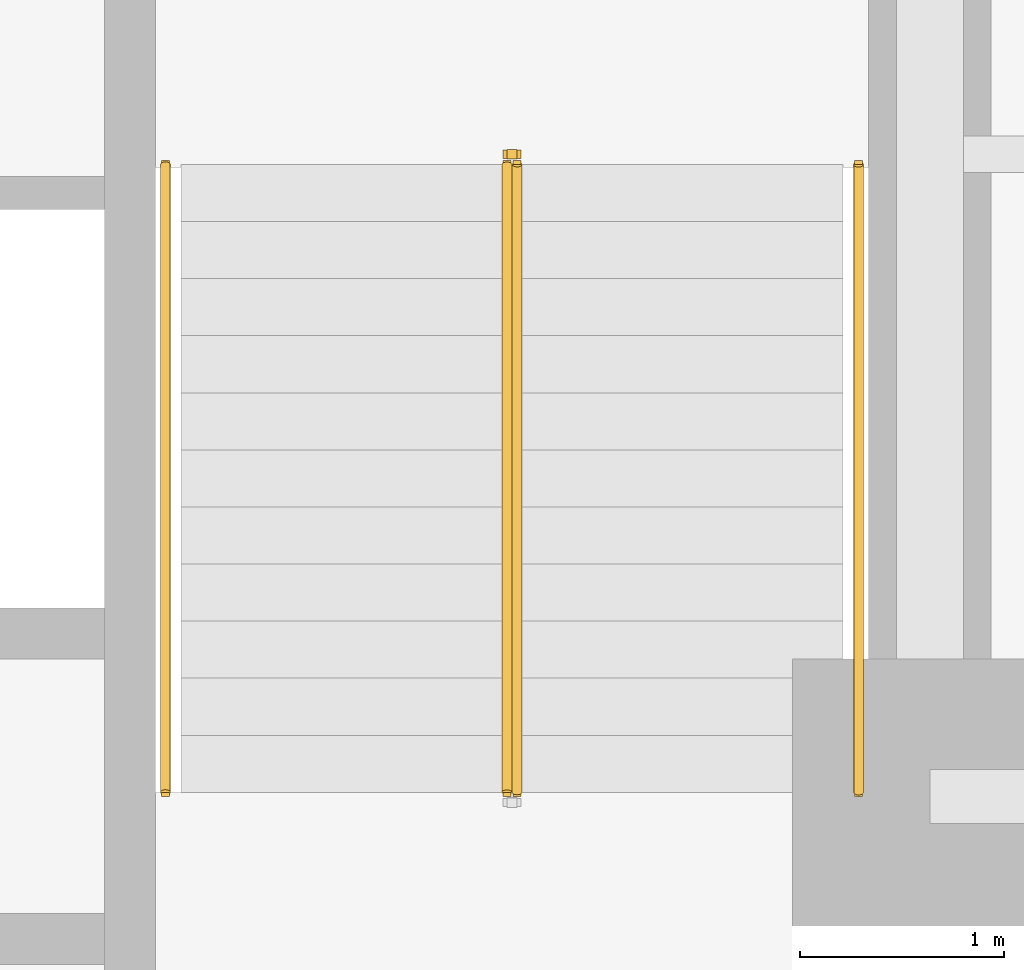
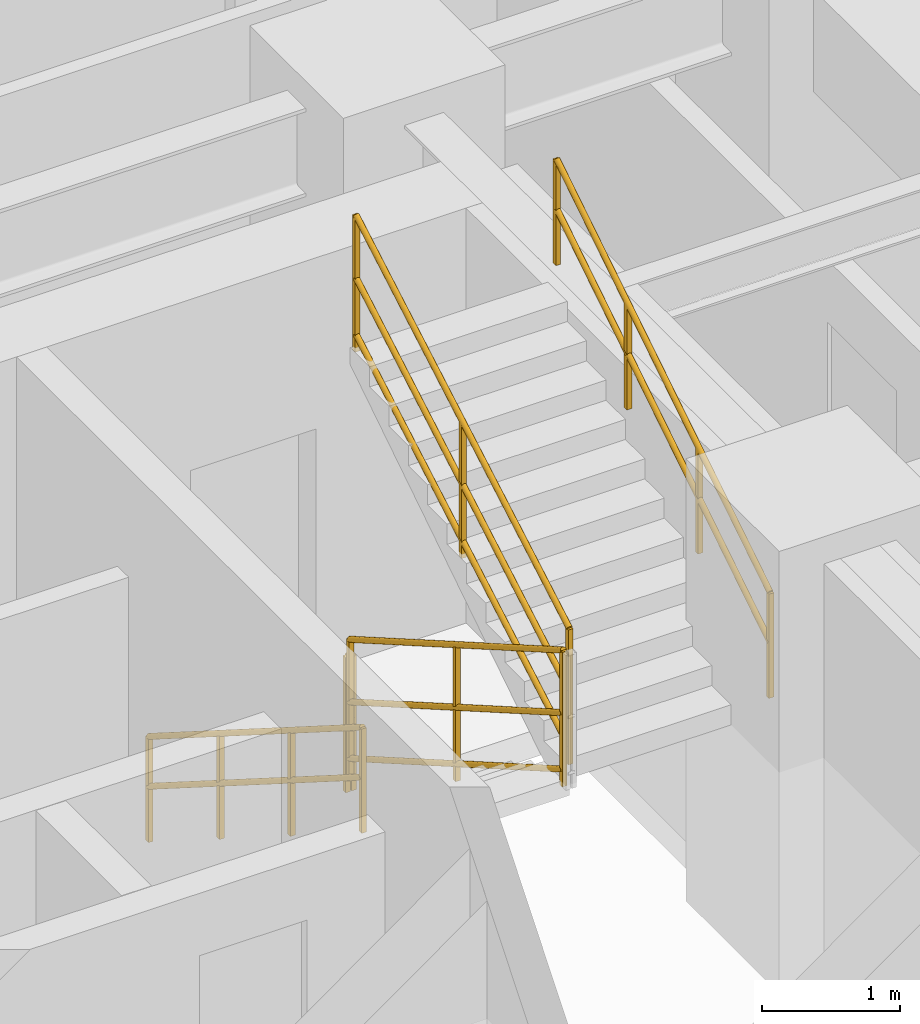
# One storey, part 8 of 9: 5 railings.
"""IFC4 building model written with IfcOpenShell, lengths in metres."""

import ifcopenshell
import ifcopenshell.guid

model = None  # the IFC model being written
_history = None  # IfcOwnerHistory: only IFC2X3 demands one
_inside = {}  # id of a spatial element -> (the spatial element, [elements in it])
_under = {}  # id of a project, library or spatial element -> (it, [spatial elements below it])
_declared = {}  # id of a project -> (the project, [libraries it declares])
_typed = {}  # id of a type object -> (the type object, [elements of that type])
_made_of = {}  # id of a material, layer set ... -> (it, [elements and type objects made of it])


def new_model(schema):
    """Start an empty IFC model of exactly this schema.

    Asked for "IFC4X3", IfcOpenShell would pick the latest addendum, in which some entities
    have other attributes; the version numbers below select the first issue.
    IFC2X3 requires an IfcOwnerHistory on every rooted entity: one is made here for all.
    """
    global model, _history
    if schema == "IFC4X3":
        model = ifcopenshell.file(schema_version=(4, 3, 0, 0))
    else:
        model = ifcopenshell.file(schema=schema)
    _inside.clear()
    _under.clear()
    _declared.clear()
    _typed.clear()
    _made_of.clear()
    _history = None
    if model.schema == "IFC2X3":
        org = make("IfcOrganization", Name="unknown")
        user = make(
            "IfcPersonAndOrganization",
            ThePerson=make("IfcPerson", FamilyName="unknown"),
            TheOrganization=org,
        )
        app = make(
            "IfcApplication",
            ApplicationDeveloper=org,
            Version="unknown",
            ApplicationFullName="unknown",
            ApplicationIdentifier="unknown",
        )
        _history = make(
            "IfcOwnerHistory",
            OwningUser=user,
            OwningApplication=app,
            ChangeAction="ADDED",
            CreationDate=0,
        )
    return model


def make(cls, **values):
    """One entity of the class cls with the attributes given. An attribute that is None is left unset."""
    return model.create_entity(
        cls, **{name: value for name, value in values.items() if value is not None}
    )


def entity(cls, *values):
    """Any entity or typed value of the class cls, its attributes in the order of the schema. None: left unset."""
    e = model.create_entity(cls)
    for i, value in enumerate(values):
        if value is not None:
            e[i] = value
    return e


def rooted(cls, **values):
    """An entity with a GlobalId (a new one), such as an element, a storey or a relation."""
    return make(cls, GlobalId=ifcopenshell.guid.new(), OwnerHistory=_history, **values)


def si_unit(unit_type, name, prefix=None):
    """IfcSIUnit, for example si_unit("LENGTHUNIT", "METRE", prefix="MILLI")."""
    return make("IfcSIUnit", UnitType=unit_type, Prefix=prefix, Name=name)


def converted_unit(unit_type, name, factor, base, dimensions=None, offset=None):
    """IfcConversionBasedUnit, such as the inch: factor (a typed value) times the base unit."""
    return make(
        "IfcConversionBasedUnit"
        if offset is None
        else "IfcConversionBasedUnitWithOffset",
        ConversionOffset=offset,
        Dimensions=None
        if dimensions is None
        else entity("IfcDimensionalExponents", *dimensions),
        UnitType=unit_type,
        Name=name,
        ConversionFactor=make(
            "IfcMeasureWithUnit", ValueComponent=factor, UnitComponent=base
        ),
    )


def assignment(units):
    """IfcUnitAssignment: the units of a project."""
    return None if units is None else make("IfcUnitAssignment", Units=units)


def point(xyz):
    """IfcCartesianPoint."""
    return None if xyz is None else make("IfcCartesianPoint", Coordinates=xyz)


def direction(xyz):
    """IfcDirection."""
    return None if xyz is None else make("IfcDirection", DirectionRatios=xyz)


def frame(location, z_axis=None, x_axis=None):
    """IfcAxis2Placement3D, a coordinate frame: its origin and axes. An axis left out is left unset."""
    return make(
        "IfcAxis2Placement3D",
        Location=point(location),
        Axis=direction(z_axis),
        RefDirection=direction(x_axis),
    )


def frame_2d(location, x_axis=None):
    """IfcAxis2Placement2D, a coordinate frame in the plane: its origin and x axis."""
    return make(
        "IfcAxis2Placement2D", Location=point(location), RefDirection=direction(x_axis)
    )


def origin_with_axes():
    """The frame at (0, 0, 0) with the z axis (0, 0, 1) and the x axis (1, 0, 0) written out."""
    return frame((0.0, 0.0, 0.0), z_axis=(0.0, 0.0, 1.0), x_axis=(1.0, 0.0, 0.0))


def origin_2d_with_axis():
    """The frame at (0, 0) in the plane with the x axis (1, 0) written out."""
    return frame_2d((0.0, 0.0), x_axis=(1.0, 0.0))


def place(relative_to, where):
    """IfcLocalPlacement: puts the frame where relative to a parent placement (None: the world)."""
    return make(
        "IfcLocalPlacement", PlacementRelTo=relative_to, RelativePlacement=where
    )


def context(
    kind, dimensions, precision=None, world=None, true_north=None, identifier=None
):
    """IfcGeometricRepresentationContext, for example the 3D "Model" context."""
    return make(
        "IfcGeometricRepresentationContext",
        ContextIdentifier=identifier,
        ContextType=kind,
        CoordinateSpaceDimension=dimensions,
        Precision=precision,
        WorldCoordinateSystem=world,
        TrueNorth=true_north,
    )


def subcontext(parent, identifier, kind, view, scale=None):
    """IfcGeometricRepresentationSubContext, for example "Body" below "Model"."""
    return make(
        "IfcGeometricRepresentationSubContext",
        ContextIdentifier=identifier,
        ContextType=kind,
        ParentContext=parent,
        TargetScale=scale,
        TargetView=view,
    )


def project(units=None, contexts=None):
    """IfcProject with its units and contexts."""
    return rooted(
        "IfcProject",
        Name="project",
        RepresentationContexts=contexts,
        UnitsInContext=assignment(units),
    )


def spatial(cls, under=None, at=None, **own):
    """A site, building, storey or space (cls), placed at a placement, below another one or the project."""
    s = rooted(cls, ObjectPlacement=at, **own)
    if under is not None:
        _under.setdefault(under.id(), (under, []))[1].append(s)
    return s


def profile(cls, at=None, kind="AREA", **sizes):
    """A parametric profile (cls). Its sizes go by their IFC names, for example OverallWidth=200.0."""
    return make(cls, ProfileType=kind, Position=at, **sizes)


def rectangle(**sizes):
    """IfcRectangleProfileDef."""
    return profile("IfcRectangleProfileDef", **sizes)


def circle(**sizes):
    """IfcCircleProfileDef."""
    return profile("IfcCircleProfileDef", **sizes)


def extrude(swept, where, along, depth):
    """IfcExtrudedAreaSolid: the profile swept, set in the frame where, extruded along a direction by depth."""
    return make(
        "IfcExtrudedAreaSolid",
        SweptArea=swept,
        Position=where,
        ExtrudedDirection=direction(along),
        Depth=depth,
    )


def shape(context_of_items, identifier, shape_type, items):
    """IfcShapeRepresentation: the items that make up one representation, for example the "Body"."""
    return make(
        "IfcShapeRepresentation",
        ContextOfItems=context_of_items,
        RepresentationIdentifier=identifier,
        RepresentationType=shape_type,
        Items=items,
    )


def material(Name=None, Category=None):
    """IfcMaterial."""
    return make("IfcMaterial", Name=Name, Category=Category)


def made_of(thing, what):
    """Note that an element or type object is made of a material, layer set ...; save() writes the relation."""
    if what is not None:
        _made_of.setdefault(what.id(), (what, []))[1].append(thing)
    return thing


def type_object(cls, material=None, **own):
    """A type object (cls), such as IfcWallType, which elements share."""
    return made_of(rooted(cls, **own), material)


def element(
    cls,
    number,
    at=None,
    inside=None,
    cuts=None,
    type_object=None,
    material=None,
    context=None,
    identifier="Body",
    shape_type=None,
    held_by="IfcProductDefinitionShape",
    body=None,
    shapes=None,
    **own,
):
    """One element of the class cls, such as IfcWall. Its Tag is "e" and its number.

    at: its placement. inside: the storey or other place that contains it. cuts: it is an
    opening in that element (IfcRelVoidsElement). A single representation is given by context,
    identifier, shape_type and body (its items); several are given by shapes. held_by: the class
    of the entity that holds the representations. save() writes the other relations.
    """
    e = rooted(cls, Tag="e%d" % number, ObjectPlacement=at, **own)
    if body is not None:
        shapes = [shape(context, identifier, shape_type, body)]
    if shapes is not None:
        e.Representation = make(held_by, Representations=shapes)
    if inside is not None:
        _inside.setdefault(inside.id(), (inside, []))[1].append(e)
    if cuts is not None:
        rooted(
            "IfcRelVoidsElement", RelatingBuildingElement=cuts, RelatedOpeningElement=e
        )
    if type_object is not None:
        _typed.setdefault(type_object.id(), (type_object, []))[1].append(e)
    return made_of(e, material)


def aggregate(whole, parts):
    """IfcRelAggregates: a whole, such as a stair, and the parts it consists of."""
    return rooted("IfcRelAggregates", RelatingObject=whole, RelatedObjects=parts)


def save(model, path):
    """Write the relations noted so far, then the file.

    IfcRelAggregates (storeys below a building ...), IfcRelContainedInSpatialStructure (elements
    in a storey), IfcRelDefinesByType, IfcRelAssociatesMaterial and IfcRelDeclares: one each for
    every whole, place, type object, material and project.
    """
    for whole, parts in _under.values():
        aggregate(whole, parts)
    for where, things in _inside.values():
        rooted(
            "IfcRelContainedInSpatialStructure",
            RelatedElements=things,
            RelatingStructure=where,
        )
    for kind, things in _typed.values():
        rooted("IfcRelDefinesByType", RelatedObjects=things, RelatingType=kind)
    for what, things in _made_of.values():
        rooted("IfcRelAssociatesMaterial", RelatedObjects=things, RelatingMaterial=what)
    for by, libraries in _declared.values():
        rooted("IfcRelDeclares", RelatingContext=by, RelatedDefinitions=libraries)
    model.write(path)


model = new_model("IFC4")

# Units and contexts
model_context = context("Model", 3, precision=1e-05, world=origin_with_axes(), true_north=direction((0.0, 1.0)))
body_context = subcontext(model_context, "Body", "Model", "MODEL_VIEW")
ifc_project = project(units=[si_unit("LENGTHUNIT", "METRE"), si_unit("AREAUNIT", "SQUARE_METRE"), si_unit("VOLUMEUNIT", "CUBIC_METRE"), converted_unit("PLANEANGLEUNIT", "DEGREE", entity("IfcPlaneAngleMeasure", 0.017453292519943295), si_unit("PLANEANGLEUNIT", "RADIAN"), dimensions=[0, 0, 0, 0, 0, 0, 0]), si_unit("MASSUNIT", "GRAM", prefix="KILO"), si_unit("THERMODYNAMICTEMPERATUREUNIT", "KELVIN")], contexts=[model_context])

# Site, building, storey
site_placement = place(None, origin_with_axes())
site = spatial("IfcSite", under=ifc_project, at=site_placement, CompositionType="ELEMENT")
building_placement = place(site_placement, origin_with_axes())
building = spatial("IfcBuilding", under=site, at=building_placement, Name="Varnlund Millrace Tower", CompositionType="ELEMENT")
storey_placement = place(building_placement, frame((0.0, 0.0, 67.8), z_axis=(0.0, 0.0, 1.0), x_axis=(1.0, 0.0, 0.0)))
storey = spatial("IfcBuildingStorey", under=building, at=storey_placement, Name="L16", CompositionType="ELEMENT", Elevation=67.8)

# Railings
ifc_material_1 = material(Name="Painted steel stair well balustrade guard", Category="steel")
railing_type_1 = type_object("IfcRailingType", Name="Type-StairGuard-1150", PredefinedType="GUARDRAIL", material=ifc_material_1)
railing_1_placement = place(storey_placement, frame((0.0, 0.0, -67.8), z_axis=(0.0, 0.0, 1.0), x_axis=(1.0, 0.0, 0.0)))
element("IfcRailing", 1, at=railing_1_placement, inside=storey, type_object=railing_type_1, Name="Type-StairGuard-1150", PredefinedType="GUARDRAIL", context=body_context, shape_type="SweptSolid", body=[
    extrude(circle(Radius=0.024, at=origin_2d_with_axis()), frame((45.975, 21.1, 69.127273), z_axis=(0.0, -0.866696, 0.498836), x_axis=(1.0, 0.0, 0.0)), (0.0, 0.0, 1.0), 3.553725),
    extrude(circle(Radius=0.024, at=origin_2d_with_axis()), frame((45.975, 21.1, 68.077273), z_axis=(0.0, -0.866696, 0.498836), x_axis=(1.0, 0.0, 0.0)), (0.0, 0.0, 1.0), 3.553725),
    extrude(circle(Radius=0.024, at=origin_2d_with_axis()), frame((45.975, 21.1, 68.575273), z_axis=(0.0, -0.866696, 0.498836), x_axis=(1.0, 0.0, 0.0)), (0.0, 0.0, 1.0), 3.553725),
    extrude(rectangle(XDim=0.04, YDim=0.04, at=origin_2d_with_axis()), frame((45.975, 21.1, 67.937273), z_axis=(0.0, 0.0, 1.0), x_axis=(1.0, 0.0, 0.0)), (0.0, 0.0, 1.0), 1.19),
    extrude(rectangle(XDim=0.04, YDim=0.04, at=origin_2d_with_axis()), frame((45.975, 19.56, 68.823636), z_axis=(0.0, 0.0, 1.0), x_axis=(1.0, 0.0, 0.0)), (0.0, 0.0, 1.0), 1.19),
    extrude(rectangle(XDim=0.04, YDim=0.04, at=origin_2d_with_axis()), frame((45.975, 18.02, 69.71), z_axis=(0.0, 0.0, 1.0), x_axis=(1.0, 0.0, 0.0)), (0.0, 0.0, 1.0), 1.19),
])
railing_2_placement = place(storey_placement, frame((0.0, 0.0, -67.8), z_axis=(0.0, 0.0, 1.0), x_axis=(1.0, 0.0, 0.0)))
element("IfcRailing", 2, at=railing_2_placement, inside=storey, type_object=railing_type_1, Name="Type-StairGuard-1150", PredefinedType="GUARDRAIL", context=body_context, shape_type="SweptSolid", body=[
    extrude(circle(Radius=0.024, at=origin_2d_with_axis()), frame((46.025, 18.02, 71.077273), z_axis=(0.0, 0.866696, 0.498836), x_axis=(-1.0, 0.0, 0.0)), (0.0, 0.0, 1.0), 3.553725),
    extrude(circle(Radius=0.024, at=origin_2d_with_axis()), frame((46.025, 18.02, 70.027273), z_axis=(0.0, 0.866696, 0.498836), x_axis=(-1.0, 0.0, 0.0)), (0.0, 0.0, 1.0), 3.553725),
    extrude(circle(Radius=0.024, at=origin_2d_with_axis()), frame((46.025, 18.02, 70.525273), z_axis=(0.0, 0.866696, 0.498836), x_axis=(-1.0, 0.0, 0.0)), (0.0, 0.0, 1.0), 3.553725),
    extrude(rectangle(XDim=0.04, YDim=0.04, at=origin_2d_with_axis()), frame((46.025, 18.02, 69.887273), z_axis=(0.0, 0.0, 1.0), x_axis=(1.0, 0.0, 0.0)), (0.0, 0.0, 1.0), 1.19),
    extrude(rectangle(XDim=0.04, YDim=0.04, at=origin_2d_with_axis()), frame((46.025, 19.56, 70.773636), z_axis=(0.0, 0.0, 1.0), x_axis=(1.0, 0.0, 0.0)), (0.0, 0.0, 1.0), 1.19),
    extrude(rectangle(XDim=0.04, YDim=0.04, at=origin_2d_with_axis()), frame((46.025, 21.1, 71.66), z_axis=(0.0, 0.0, 1.0), x_axis=(1.0, 0.0, 0.0)), (0.0, 0.0, 1.0), 1.19),
])
railing_3_placement = place(storey_placement, frame((0.0, 0.0, -67.8), z_axis=(0.0, 0.0, 1.0), x_axis=(1.0, 0.0, 0.0)))
element("IfcRailing", 3, at=railing_3_placement, inside=storey, type_object=railing_type_1, Name="Type-StairGuard-1150", PredefinedType="GUARDRAIL", context=body_context, shape_type="SweptSolid", body=[
    extrude(circle(Radius=0.024, at=origin_2d_with_axis()), frame((46.025, 21.15, 68.95), z_axis=(-1.0, 0.0, 0.0), x_axis=(0.0, -1.0, 0.0)), (0.0, 0.0, 1.0), 0.05),
    extrude(circle(Radius=0.024, at=origin_2d_with_axis()), frame((46.025, 21.15, 67.9), z_axis=(-1.0, 0.0, 0.0), x_axis=(0.0, -1.0, 0.0)), (0.0, 0.0, 1.0), 0.05),
    extrude(circle(Radius=0.024, at=origin_2d_with_axis()), frame((46.025, 21.15, 68.398), z_axis=(-1.0, 0.0, 0.0), x_axis=(0.0, -1.0, 0.0)), (0.0, 0.0, 1.0), 0.05),
    extrude(rectangle(XDim=0.04, YDim=0.04, at=origin_2d_with_axis()), frame((46.025, 21.15, 67.76), z_axis=(0.0, 0.0, 1.0), x_axis=(1.0, 0.0, 0.0)), (0.0, 0.0, 1.0), 1.19),
    extrude(rectangle(XDim=0.04, YDim=0.04, at=origin_2d_with_axis()), frame((45.975, 21.15, 67.76), z_axis=(0.0, 0.0, 1.0), x_axis=(1.0, 0.0, 0.0)), (0.0, 0.0, 1.0), 1.19),
])
ifc_material_2 = material(Name="Brushed architectural bronze stair handrail", Category="aluminium")
railing_type_2 = type_object("IfcRailingType", Name="Type-StairHandrail-900", PredefinedType="HANDRAIL", material=ifc_material_2)
railing_4_placement = place(storey_placement, frame((0.0, 0.0, -67.8), z_axis=(0.0, 0.0, 1.0), x_axis=(1.0, 0.0, 0.0)))
element("IfcRailing", 4, at=railing_4_placement, inside=storey, type_object=railing_type_2, Name="Type-StairHandrail-900", PredefinedType="HANDRAIL", context=body_context, shape_type="SweptSolid", body=[
    extrude(circle(Radius=0.024, at=origin_2d_with_axis()), frame((44.3, 21.1, 68.856995), z_axis=(0.0, -0.844902, 0.534922), x_axis=(1.0, 0.0, 0.0)), (0.0, 0.0, 1.0), 3.645394),
    extrude(circle(Radius=0.024, at=origin_2d_with_axis()), frame((44.3, 21.1, 68.417134), z_axis=(0.0, -0.844902, 0.534922), x_axis=(1.0, 0.0, 0.0)), (0.0, 0.0, 1.0), 3.645394),
    extrude(rectangle(XDim=0.04, YDim=0.04, at=origin_2d_with_axis()), frame((44.3, 21.1, 67.937273), z_axis=(0.0, 0.0, 1.0), x_axis=(1.0, 0.0, 0.0)), (0.0, 0.0, 1.0), 0.919722),
    extrude(rectangle(XDim=0.04, YDim=0.04, at=origin_2d_with_axis()), frame((44.3, 20.073333, 68.587273), z_axis=(0.0, 0.0, 1.0), x_axis=(1.0, 0.0, 0.0)), (0.0, 0.0, 1.0), 0.919722),
    extrude(rectangle(XDim=0.04, YDim=0.04, at=origin_2d_with_axis()), frame((44.3, 19.046667, 69.237273), z_axis=(0.0, 0.0, 1.0), x_axis=(1.0, 0.0, 0.0)), (0.0, 0.0, 1.0), 0.919722),
    extrude(rectangle(XDim=0.04, YDim=0.04, at=origin_2d_with_axis()), frame((44.3, 18.02, 69.887273), z_axis=(0.0, 0.0, 1.0), x_axis=(1.0, 0.0, 0.0)), (0.0, 0.0, 1.0), 0.919722),
])
railing_5_placement = place(storey_placement, frame((0.0, 0.0, -67.8), z_axis=(0.0, 0.0, 1.0), x_axis=(1.0, 0.0, 0.0)))
element("IfcRailing", 5, at=railing_5_placement, inside=storey, type_object=railing_type_2, Name="Type-StairHandrail-900", PredefinedType="HANDRAIL", context=body_context, shape_type="SweptSolid", body=[
    extrude(circle(Radius=0.024, at=origin_2d_with_axis()), frame((47.7, 18.02, 70.806995), z_axis=(0.0, 0.844902, 0.534922), x_axis=(-1.0, 0.0, 0.0)), (0.0, 0.0, 1.0), 3.645394),
    extrude(circle(Radius=0.024, at=origin_2d_with_axis()), frame((47.7, 18.02, 70.367134), z_axis=(0.0, 0.844902, 0.534922), x_axis=(-1.0, 0.0, 0.0)), (0.0, 0.0, 1.0), 3.645394),
    extrude(rectangle(XDim=0.04, YDim=0.04, at=origin_2d_with_axis()), frame((47.7, 18.02, 69.887273), z_axis=(0.0, 0.0, 1.0), x_axis=(1.0, 0.0, 0.0)), (0.0, 0.0, 1.0), 0.919722),
    extrude(rectangle(XDim=0.04, YDim=0.04, at=origin_2d_with_axis()), frame((47.7, 19.046667, 70.537273), z_axis=(0.0, 0.0, 1.0), x_axis=(1.0, 0.0, 0.0)), (0.0, 0.0, 1.0), 0.919722),
    extrude(rectangle(XDim=0.04, YDim=0.04, at=origin_2d_with_axis()), frame((47.7, 20.073333, 71.187273), z_axis=(0.0, 0.0, 1.0), x_axis=(1.0, 0.0, 0.0)), (0.0, 0.0, 1.0), 0.919722),
    extrude(rectangle(XDim=0.04, YDim=0.04, at=origin_2d_with_axis()), frame((47.7, 21.1, 71.837273), z_axis=(0.0, 0.0, 1.0), x_axis=(1.0, 0.0, 0.0)), (0.0, 0.0, 1.0), 0.919722),
])

save(model, "model.ifc")
